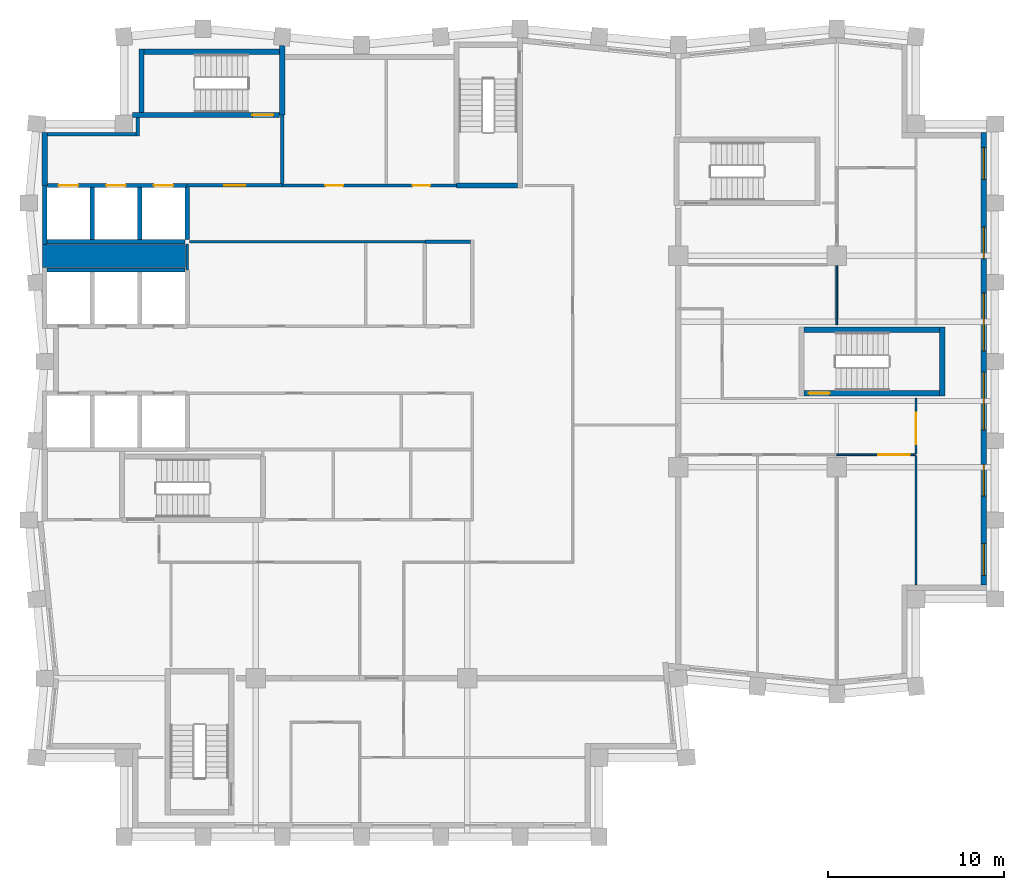
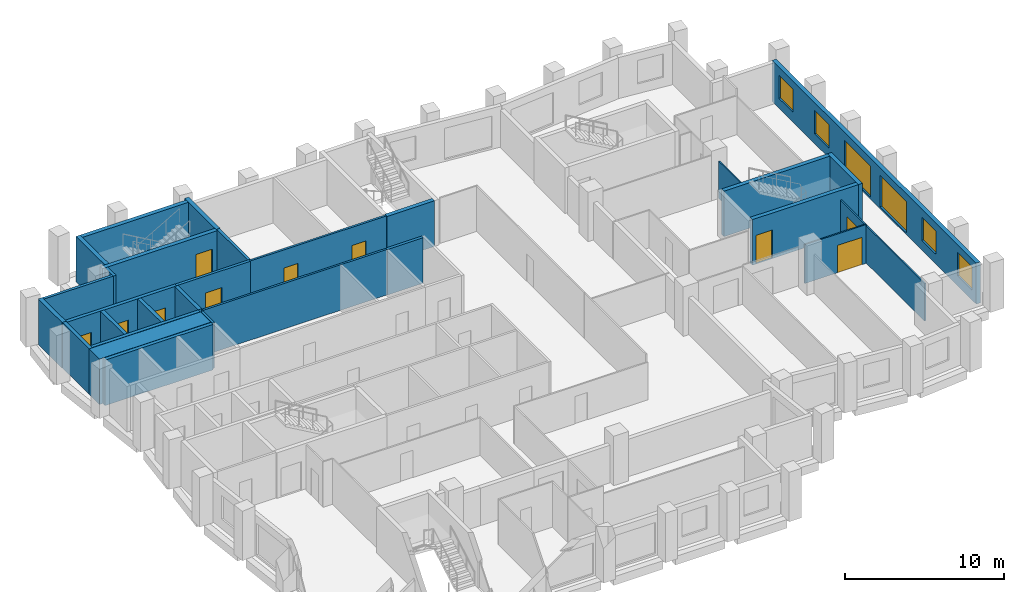
# One storey, part 5 of 8: 30 walls, 10 doors, 6 windows, 16 openings.
"""IFC4 building model written with IfcOpenShell, lengths in metres."""

from ifc_helpers import new_model, si_unit, direction, frame, frame_2d, origin, place, context, subcontext, project, spatial, rectangle, extrude, material, layer, layer_set, type_object, element, fill, save


model = new_model("IFC4")

# Units and contexts
model_context = context("Model", 3, precision=1e-05, world=origin(), true_north=direction((0.0, 1.0)))
body_context = subcontext(model_context, "Body", "Model", "MODEL_VIEW")
ifc_project = project(units=[si_unit("LENGTHUNIT", "METRE"), si_unit("AREAUNIT", "SQUARE_METRE"), si_unit("VOLUMEUNIT", "CUBIC_METRE"), si_unit("PLANEANGLEUNIT", "RADIAN"), si_unit("MASSUNIT", "GRAM", prefix="KILO")], contexts=[model_context])

# Site, building, storey
site_placement = place(None, origin())
site = spatial("IfcSite", under=ifc_project, at=site_placement, CompositionType="ELEMENT")
building_placement = place(site_placement, origin())
building = spatial("IfcBuilding", under=site, at=building_placement, Name="Brondeck Convention Tower", CompositionType="ELEMENT")
storey_placement = place(building_placement, frame((0.0, 0.0, 210.199951171875)))
storey = spatial("IfcBuildingStorey", under=building, at=storey_placement, Name="L51", CompositionType="ELEMENT", Elevation=210.199951171875)

# Walls
ifc_material_1 = material(Name="Concrete C50/60", Category="concrete")
ifc_layer_1 = layer(ifc_material_1, 0.300048828125)
ifc_layer_set_1 = layer_set([ifc_layer_1], Name="Core outer wall 300 Concrete C50/60")
wall_type_1 = type_object("IfcWallType", Name="Core outer wall 300 Concrete C50/60", PredefinedType="SHEAR", material=ifc_layer_set_1)
wall_1_placement = place(storey_placement, frame((0.0, 55.0, 0.0), z_axis=(0.0, 0.0, 1.0), x_axis=(0.0, 1.0, 0.0)))
element("IfcWall", 1, at=wall_1_placement, inside=storey, type_object=wall_type_1, Name="L51 core wall", PredefinedType="SHEAR", context=body_context, shape_type="SweptSolid", body=[
    extrude(rectangle(XDim=3.0, YDim=0.300048828125, at=frame_2d((1.5, 0.0))), origin(), (0.0, 0.0, 1.0), 3.5),
])
ifc_material_2 = material(Name="Fire-rated gypsum board partition")
ifc_layer_2 = layer(ifc_material_2, 0.14990234375)
ifc_layer_set_2 = layer_set([ifc_layer_2], Name="Core partition 150 EI 60")
wall_type_2 = type_object("IfcWallType", Name="Core partition 150 EI 60", PredefinedType="PARTITIONING", material=ifc_layer_set_2)
wall_2_placement = place(storey_placement, frame((8.22509765625, 51.800048828125, 0.0), z_axis=(0.0, 0.0, 1.0), x_axis=(1.0, 0.0, 0.0)))
element("IfcWall", 2, at=wall_2_placement, inside=storey, type_object=wall_type_2, Name="L51 core wall", PredefinedType="PARTITIONING", context=body_context, shape_type="SweptSolid", body=[
    extrude(rectangle(XDim=13.375, YDim=0.14990234375, at=frame_2d((6.6875, 0.0))), origin(), (0.0, 0.0, 1.0), 3.5),
])

# Wall, openings, doors
wall_3_placement = place(storey_placement, frame((13.5, 55.0, 0.0), z_axis=(0.0, 0.0, 1.0), x_axis=(1.0, 0.0, 0.0)))
wall_3 = element("IfcWall", 3, at=wall_3_placement, inside=storey, type_object=wall_type_2, Name="L51 core wall", PredefinedType="PARTITIONING", context=body_context, shape_type="SweptSolid", body=[
    extrude(rectangle(XDim=9.89990234375, YDim=0.14990234375, at=frame_2d((4.949951171875, 0.0))), origin(), (0.0, 0.0, 1.0), 3.5),
])
opening_1_placement = place(wall_3_placement, frame((2.449951171875, 0.0, 0.0)))
opening_1 = element("IfcOpeningElement", 4, at=opening_1_placement, cuts=wall_3, Name="Opening C29-11", PredefinedType="OPENING", context=body_context, shape_type="SweptSolid", body=[
    extrude(rectangle(XDim=1.0, YDim=2.10009765625, at=frame_2d((0.5, 1.050048828125))), frame((0.0, 0.0849609375, 0.0), z_axis=(0.0, -1.0, 0.0), x_axis=(1.0, 0.0, 0.0)), (0.0, 0.0, 1.0), 0.169921875),
])
opening_2_placement = place(wall_3_placement, frame((7.39990234375, 0.0, 0.0)))
opening_2 = element("IfcOpeningElement", 5, at=opening_2_placement, cuts=wall_3, Name="Opening C29-12", PredefinedType="OPENING", context=body_context, shape_type="SweptSolid", body=[
    extrude(rectangle(XDim=1.0, YDim=2.10009765625, at=frame_2d((0.5, 1.050048828125))), frame((0.0, 0.0849609375, 0.0), z_axis=(0.0, -1.0, 0.0), x_axis=(1.0, 0.0, 0.0)), (0.0, 0.0, 1.0), 0.169921875),
])
ifc_material_3 = material(Name="Steel fire door", Category="steel")
door_type_1 = type_object("IfcDoorType", Name="Room door 1000x2100 EI 60", OperationType="NOTDEFINED", PredefinedType="DOOR", material=ifc_material_3)
door_1_placement = place(opening_1_placement, origin())
door_1 = element("IfcDoor", 6, at=door_1_placement, inside=storey, type_object=door_type_1, Name="L51 Room door NE-1", OperationType="SINGLE_SWING_LEFT", OverallHeight=2.10009765625, OverallWidth=1.0, PredefinedType="DOOR", context=body_context, shape_type="SweptSolid", body=[
    extrude(rectangle(XDim=1.0, YDim=2.10009765625, at=frame_2d((0.5, 1.050048828125))), frame((0.0, 0.02490234375, 0.0), z_axis=(0.0, -1.0, 0.0), x_axis=(1.0, 0.0, 0.0)), (0.0, 0.0, 1.0), 0.050048828125),
])
fill(opening_1, door_1)
door_2_placement = place(opening_2_placement, origin())
door_2 = element("IfcDoor", 7, at=door_2_placement, inside=storey, type_object=door_type_1, Name="L51 Room door NE-2", OperationType="SINGLE_SWING_RIGHT", OverallHeight=2.10009765625, OverallWidth=1.0, PredefinedType="DOOR", context=body_context, shape_type="SweptSolid", body=[
    extrude(rectangle(XDim=1.0, YDim=2.10009765625, at=frame_2d((0.5, 1.050048828125))), frame((0.0, 0.02490234375, 0.0), z_axis=(0.0, -1.0, 0.0), x_axis=(1.0, 0.0, 0.0)), (0.0, 0.0, 1.0), 0.050048828125),
])
fill(opening_2, door_2)

# Walls
wall_4_placement = place(storey_placement, frame((8.10009765625, 50.199951171875, 0.0), z_axis=(0.0, 0.0, 1.0), x_axis=(0.0, 1.0, 0.0)))
element("IfcWall", 8, at=wall_4_placement, inside=storey, type_object=wall_type_2, Name="L51 core wall", PredefinedType="PARTITIONING", context=body_context, shape_type="SweptSolid", body=[
    extrude(rectangle(XDim=1.47509765625, YDim=0.14990234375, at=frame_2d((0.737548828125, 0.0))), origin(), (0.0, 0.0, 1.0), 3.5),
])
ifc_layer_3 = layer(ifc_material_1, 1.300048828125)
ifc_layer_set_3 = layer_set([ifc_layer_3], Name="Core shear wall 1300 Concrete C50/60")
wall_type_3 = type_object("IfcWallType", Name="Core shear wall 1300 Concrete C50/60", PredefinedType="SHEAR", material=ifc_layer_set_3)
wall_5_placement = place(storey_placement, frame((-0.125, 51.0, 0.0), z_axis=(0.0, 0.0, 1.0), x_axis=(1.0, 0.0, 0.0)))
element("IfcWall", 9, at=wall_5_placement, inside=storey, type_object=wall_type_3, Name="L51 core wall", PredefinedType="SHEAR", context=body_context, shape_type="SweptSolid", body=[
    extrude(rectangle(XDim=8.125, YDim=1.300048828125, at=frame_2d((4.0625, 0.0))), origin(), (0.0, 0.0, 1.0), 3.5),
])

# Wall, openings, windows
ifc_material_4 = material(Name="Precast concrete C50/60 bronze finish", Category="concrete")
ifc_layer_4 = layer(ifc_material_4, 0.070068359375, Name="Bronze precast facing")
ifc_material_5 = material(Name="Mineral wool")
ifc_layer_5 = layer(ifc_material_5, 0.159912109375, Name="Insulation")
ifc_material_6 = material(Name="Concrete C35/45", Category="concrete")
ifc_layer_6 = layer(ifc_material_6, 0.070068359375, Name="Backing")
ifc_layer_set_4 = layer_set([ifc_layer_4, ifc_layer_5, ifc_layer_6], Name="External infill wall, precast concrete C50/60 bronze facing")
wall_type_4 = type_object("IfcWallType", Name="External infill wall, precast concrete C50/60 bronze facing", PredefinedType="SOLIDWALL", material=ifc_layer_set_4)
wall_6_placement = place(storey_placement, frame((53.35009765625, 58.0, 0.0), z_axis=(0.0, 0.0, 1.0), x_axis=(0.0, -1.0, 0.0)))
wall_6 = element("IfcWall", 10, at=wall_6_placement, inside=storey, type_object=wall_type_4, Name="ENV-EW-L51-P2-A-E54-01", PredefinedType="SOLIDWALL", context=body_context, shape_type="SweptSolid", body=[
    extrude(rectangle(XDim=25.701904296875, YDim=0.300048828125, at=frame_2d((12.85107421875, 0.0))), origin(), (0.0, 0.0, 1.0), 3.150146484375),
])
opening_3_placement = place(wall_6_placement, frame((0.85009765625, 0.0, 0.75)))
opening_3 = element("IfcOpeningElement", 11, at=opening_3_placement, cuts=wall_6, Name="Opening W10", PredefinedType="OPENING", context=body_context, shape_type="SweptSolid", body=[
    extrude(rectangle(XDim=1.800048828125, YDim=1.800048828125, at=frame_2d((0.89990234375, 0.89990234375))), frame((0.0, 0.159912109375, 0.0), z_axis=(0.0, -1.0, 0.0), x_axis=(1.0, 0.0, 0.0)), (0.0, 0.0, 1.0), 0.320068359375),
])
opening_4_placement = place(wall_6_placement, frame((5.35009765625, 0.0, 0.75)))
opening_4 = element("IfcOpeningElement", 12, at=opening_4_placement, cuts=wall_6, Name="Opening W10", PredefinedType="OPENING", context=body_context, shape_type="SweptSolid", body=[
    extrude(rectangle(XDim=1.800048828125, YDim=1.800048828125, at=frame_2d((0.89990234375, 0.89990234375))), frame((0.0, 0.159912109375, 0.0), z_axis=(0.0, -1.0, 0.0), x_axis=(1.0, 0.0, 0.0)), (0.0, 0.0, 1.0), 0.320068359375),
])
opening_5_placement = place(wall_6_placement, frame((9.10009765625, 0.0, 0.14990234375)))
opening_5 = element("IfcOpeningElement", 13, at=opening_5_placement, cuts=wall_6, Name="Opening W9", PredefinedType="OPENING", context=body_context, shape_type="SweptSolid", body=[
    extrude(rectangle(XDim=3.300048828125, YDim=2.39990234375, at=frame_2d((1.64990234375, 1.199951171875))), frame((0.0, 0.159912109375, 0.0), z_axis=(0.0, -1.0, 0.0), x_axis=(1.0, 0.0, 0.0)), (0.0, 0.0, 1.0), 0.320068359375),
])
opening_6_placement = place(wall_6_placement, frame((13.60009765625, 0.0, 0.14990234375)))
opening_6 = element("IfcOpeningElement", 14, at=opening_6_placement, cuts=wall_6, Name="Opening W9", PredefinedType="OPENING", context=body_context, shape_type="SweptSolid", body=[
    extrude(rectangle(XDim=3.300048828125, YDim=2.39990234375, at=frame_2d((1.64990234375, 1.199951171875))), frame((0.0, 0.159912109375, 0.0), z_axis=(0.0, -1.0, 0.0), x_axis=(1.0, 0.0, 0.0)), (0.0, 0.0, 1.0), 0.320068359375),
])
opening_7_placement = place(wall_6_placement, frame((18.85009765625, 0.0, 0.75)))
opening_7 = element("IfcOpeningElement", 15, at=opening_7_placement, cuts=wall_6, Name="Opening W10", PredefinedType="OPENING", context=body_context, shape_type="SweptSolid", body=[
    extrude(rectangle(XDim=1.800048828125, YDim=1.800048828125, at=frame_2d((0.89990234375, 0.89990234375))), frame((0.0, 0.159912109375, 0.0), z_axis=(0.0, -1.0, 0.0), x_axis=(1.0, 0.0, 0.0)), (0.0, 0.0, 1.0), 0.320068359375),
])
opening_8_placement = place(wall_6_placement, frame((23.35009765625, 0.0, 0.75)))
opening_8 = element("IfcOpeningElement", 16, at=opening_8_placement, cuts=wall_6, Name="Opening W10", PredefinedType="OPENING", context=body_context, shape_type="SweptSolid", body=[
    extrude(rectangle(XDim=1.800048828125, YDim=1.800048828125, at=frame_2d((0.89990234375, 0.89990234375))), frame((0.0, 0.159912109375, 0.0), z_axis=(0.0, -1.0, 0.0), x_axis=(1.0, 0.0, 0.0)), (0.0, 0.0, 1.0), 0.320068359375),
])
ifc_material_7 = material(Name="Bronze tinted double glazing", Category="glass")
window_type_1 = type_object("IfcWindowType", Name="Glazed flute window, bronze tinted", PartitioningType="SINGLE_PANEL", PredefinedType="WINDOW", material=ifc_material_7)
window_1_placement = place(opening_5_placement, origin())
window_1 = element("IfcWindow", 17, at=window_1_placement, inside=storey, type_object=window_type_1, Name="ENV-WN-L51-P2-A-E54-04", OverallHeight=2.39990234375, OverallWidth=3.300048828125, PartitioningType="SINGLE_PANEL", PredefinedType="WINDOW", context=body_context, shape_type="SweptSolid", body=[
    extrude(rectangle(XDim=3.300048828125, YDim=2.39990234375, at=frame_2d((1.64990234375, 1.199951171875))), frame((0.0, 0.030029296875, 0.0), z_axis=(0.0, -1.0, 0.0), x_axis=(1.0, 0.0, 0.0)), (0.0, 0.0, 1.0), 0.06005859375),
])
fill(opening_5, window_1)
window_2_placement = place(opening_6_placement, origin())
window_2 = element("IfcWindow", 18, at=window_2_placement, inside=storey, type_object=window_type_1, Name="ENV-WN-L51-P2-A-E54-03", OverallHeight=2.39990234375, OverallWidth=3.300048828125, PartitioningType="SINGLE_PANEL", PredefinedType="WINDOW", context=body_context, shape_type="SweptSolid", body=[
    extrude(rectangle(XDim=3.300048828125, YDim=2.39990234375, at=frame_2d((1.64990234375, 1.199951171875))), frame((0.0, 0.030029296875, 0.0), z_axis=(0.0, -1.0, 0.0), x_axis=(1.0, 0.0, 0.0)), (0.0, 0.0, 1.0), 0.06005859375),
])
fill(opening_6, window_2)
window_type_2 = type_object("IfcWindowType", Name="Punched window, bronze tinted", PartitioningType="SINGLE_PANEL", PredefinedType="WINDOW", material=ifc_material_7)
window_3_placement = place(opening_3_placement, origin())
window_3 = element("IfcWindow", 19, at=window_3_placement, inside=storey, type_object=window_type_2, Name="ENV-WN-L51-P2-A-E54-06", OverallHeight=1.800048828125, OverallWidth=1.800048828125, PartitioningType="SINGLE_PANEL", PredefinedType="WINDOW", context=body_context, shape_type="SweptSolid", body=[
    extrude(rectangle(XDim=1.800048828125, YDim=1.800048828125, at=frame_2d((0.89990234375, 0.89990234375))), frame((0.0, 0.030029296875, 0.0), z_axis=(0.0, -1.0, 0.0), x_axis=(1.0, 0.0, 0.0)), (0.0, 0.0, 1.0), 0.06005859375),
])
fill(opening_3, window_3)
window_4_placement = place(opening_4_placement, origin())
window_4 = element("IfcWindow", 20, at=window_4_placement, inside=storey, type_object=window_type_2, Name="ENV-WN-L51-P2-A-E54-05", OverallHeight=1.800048828125, OverallWidth=1.800048828125, PartitioningType="SINGLE_PANEL", PredefinedType="WINDOW", context=body_context, shape_type="SweptSolid", body=[
    extrude(rectangle(XDim=1.800048828125, YDim=1.800048828125, at=frame_2d((0.89990234375, 0.89990234375))), frame((0.0, 0.030029296875, 0.0), z_axis=(0.0, -1.0, 0.0), x_axis=(1.0, 0.0, 0.0)), (0.0, 0.0, 1.0), 0.06005859375),
])
fill(opening_4, window_4)
window_5_placement = place(opening_7_placement, origin())
window_5 = element("IfcWindow", 21, at=window_5_placement, inside=storey, type_object=window_type_2, Name="ENV-WN-L51-P2-A-E54-02", OverallHeight=1.800048828125, OverallWidth=1.800048828125, PartitioningType="SINGLE_PANEL", PredefinedType="WINDOW", context=body_context, shape_type="SweptSolid", body=[
    extrude(rectangle(XDim=1.800048828125, YDim=1.800048828125, at=frame_2d((0.89990234375, 0.89990234375))), frame((0.0, 0.030029296875, 0.0), z_axis=(0.0, -1.0, 0.0), x_axis=(1.0, 0.0, 0.0)), (0.0, 0.0, 1.0), 0.06005859375),
])
fill(opening_7, window_5)
window_6_placement = place(opening_8_placement, origin())
window_6 = element("IfcWindow", 22, at=window_6_placement, inside=storey, type_object=window_type_2, Name="ENV-WN-L51-P2-A-E54-01", OverallHeight=1.800048828125, OverallWidth=1.800048828125, PartitioningType="SINGLE_PANEL", PredefinedType="WINDOW", context=body_context, shape_type="SweptSolid", body=[
    extrude(rectangle(XDim=1.800048828125, YDim=1.800048828125, at=frame_2d((0.89990234375, 0.89990234375))), frame((0.0, 0.030029296875, 0.0), z_axis=(0.0, -1.0, 0.0), x_axis=(1.0, 0.0, 0.0)), (0.0, 0.0, 1.0), 0.06005859375),
])
fill(opening_8, window_6)

# Wall, opening, door
ifc_layer_7 = layer(ifc_material_2, 0.199951171875)
ifc_layer_set_5 = layer_set([ifc_layer_7], Name="Firefighting lobby wall 200 EI 120")
wall_type_5 = type_object("IfcWallType", Name="Firefighting lobby wall 200 EI 120", PredefinedType="PARTITIONING", material=ifc_layer_set_5)
wall_7_placement = place(storey_placement, frame((8.10009765625, 55.0, 0.0), z_axis=(0.0, 0.0, 1.0), x_axis=(1.0, 0.0, 0.0)))
wall_7 = element("IfcWall", 23, at=wall_7_placement, inside=storey, type_object=wall_type_5, Name="L51 core wall", PredefinedType="PARTITIONING", context=body_context, shape_type="SweptSolid", body=[
    extrude(rectangle(XDim=5.39990234375, YDim=0.199951171875, at=frame_2d((2.699951171875, 0.0))), origin(), (0.0, 0.0, 1.0), 3.5),
])
opening_9_placement = place(wall_7_placement, frame((2.10009765625, 0.0, 0.0)))
opening_9 = element("IfcOpeningElement", 24, at=opening_9_placement, cuts=wall_7, Name="Opening C29-01", PredefinedType="OPENING", context=body_context, shape_type="SweptSolid", body=[
    extrude(rectangle(XDim=1.199951171875, YDim=2.199951171875, at=frame_2d((0.60009765625, 1.10009765625))), frame((0.0, 0.10986328125, 0.0), z_axis=(0.0, -1.0, 0.0), x_axis=(1.0, 0.0, 0.0)), (0.0, 0.0, 1.0), 0.219970703125),
])
door_type_2 = type_object("IfcDoorType", Name="Firefighting lobby door 1200x2200 EI 120", OperationType="NOTDEFINED", PredefinedType="DOOR", material=ifc_material_3)
door_3_placement = place(opening_9_placement, origin())
door_3 = element("IfcDoor", 25, at=door_3_placement, inside=storey, type_object=door_type_2, Name="L51 Firefighting lobby door FFL-1", OperationType="SINGLE_SWING_RIGHT", OverallHeight=2.199951171875, OverallWidth=1.199951171875, PredefinedType="DOOR", context=body_context, shape_type="SweptSolid", body=[
    extrude(rectangle(XDim=1.199951171875, YDim=2.199951171875, at=frame_2d((0.60009765625, 1.10009765625))), frame((0.0, 0.02490234375, 0.0), z_axis=(0.0, -1.0, 0.0), x_axis=(1.0, 0.0, 0.0)), (0.0, 0.0, 1.0), 0.050048828125),
])
fill(opening_9, door_3)

# Walls
wall_8_placement = place(storey_placement, frame((0.14990234375, 57.89990234375, 0.0), z_axis=(0.0, 0.0, 1.0), x_axis=(1.0, 0.0, 0.0)))
element("IfcWall", 26, at=wall_8_placement, inside=storey, type_object=wall_type_5, Name="L51 core wall", PredefinedType="PARTITIONING", context=body_context, shape_type="SweptSolid", body=[
    extrude(rectangle(XDim=5.050048828125, YDim=0.199951171875, at=frame_2d((2.52490234375, 0.0))), origin(), (0.0, 0.0, 1.0), 3.5),
])
wall_9_placement = place(storey_placement, frame((5.300048828125, 57.800048828125, 0.0), z_axis=(0.0, 0.0, 1.0), x_axis=(0.0, 1.0, 0.0)))
element("IfcWall", 27, at=wall_9_placement, inside=storey, type_object=wall_type_5, Name="L51 core wall", PredefinedType="PARTITIONING", context=body_context, shape_type="SweptSolid", body=[
    extrude(rectangle(XDim=1.050048828125, YDim=0.199951171875, at=frame_2d((0.52490234375, 0.0))), origin(), (0.0, 0.0, 1.0), 3.5),
])
wall_10_placement = place(storey_placement, frame((13.5, 55.10009765625, 0.0), z_axis=(0.0, 0.0, 1.0), x_axis=(0.0, 1.0, 0.0)))
element("IfcWall", 28, at=wall_10_placement, inside=storey, type_object=wall_type_5, Name="L51 core wall", PredefinedType="PARTITIONING", context=body_context, shape_type="SweptSolid", body=[
    extrude(rectangle(XDim=3.89990234375, YDim=0.199951171875, at=frame_2d((1.949951171875, 0.0))), origin(), (0.0, 0.0, 1.0), 3.5),
])
ifc_layer_8 = layer(ifc_material_1, 0.25)
ifc_layer_set_6 = layer_set([ifc_layer_8], Name="Lift shaft wall 250 Concrete C50/60")
wall_type_6 = type_object("IfcWallType", Name="Lift shaft wall 250 Concrete C50/60", PredefinedType="SHEAR", material=ifc_layer_set_6)
for number, where, z_axis, x_axis, name in (
    (29, (0.125, 50.199951171875, 0.0), (0.0, 0.0, 1.0), (1.0, 0.0, 0.0), "L51 core wall"),
    (30, (0.125, 51.800048828125, 0.0), (0.0, 0.0, 1.0), (1.0, 0.0, 0.0), "L51 core wall"),
):
    element("IfcWall", number, at=place(storey_placement, frame(where, z_axis=z_axis, x_axis=x_axis)), inside=storey, type_object=wall_type_6, Name=name, PredefinedType="SHEAR", context=body_context, shape_type="SweptSolid", body=[
        extrude(rectangle(XDim=7.85009765625, YDim=0.25, at=frame_2d((3.925048828125, 0.0))), origin(), (0.0, 0.0, 1.0), 3.5),
    ])

# Wall, openings, doors
wall_11_placement = place(storey_placement, frame((0.14990234375, 55.0, 0.0), z_axis=(0.0, 0.0, 1.0), x_axis=(1.0, 0.0, 0.0)))
wall_11 = element("IfcWall", 31, at=wall_11_placement, inside=storey, type_object=wall_type_6, Name="L51 core wall", PredefinedType="SHEAR", context=body_context, shape_type="SweptSolid", body=[
    extrude(rectangle(XDim=7.9501953125, YDim=0.25, at=frame_2d((3.97509765625, 0.0))), origin(), (0.0, 0.0, 1.0), 3.5),
])
opening_10_placement = place(wall_11_placement, frame((0.64990234375, 0.0, 0.0)))
opening_10 = element("IfcOpeningElement", 32, at=opening_10_placement, cuts=wall_11, Name="Opening C29-19", PredefinedType="OPENING", context=body_context, shape_type="SweptSolid", body=[
    extrude(rectangle(XDim=1.10009765625, YDim=2.10009765625, at=frame_2d((0.550048828125, 1.050048828125))), frame((0.0, 0.135009765625, 0.0), z_axis=(0.0, -1.0, 0.0), x_axis=(1.0, 0.0, 0.0)), (0.0, 0.0, 1.0), 0.27001953125),
])
opening_11_placement = place(wall_11_placement, frame((3.35009765625, 0.0, 0.0)))
opening_11 = element("IfcOpeningElement", 33, at=opening_11_placement, cuts=wall_11, Name="Opening C29-20", PredefinedType="OPENING", context=body_context, shape_type="SweptSolid", body=[
    extrude(rectangle(XDim=1.10009765625, YDim=2.10009765625, at=frame_2d((0.550048828125, 1.050048828125))), frame((0.0, 0.135009765625, 0.0), z_axis=(0.0, -1.0, 0.0), x_axis=(1.0, 0.0, 0.0)), (0.0, 0.0, 1.0), 0.27001953125),
])
opening_12_placement = place(wall_11_placement, frame((6.050048828125, 0.0, 0.0)))
opening_12 = element("IfcOpeningElement", 34, at=opening_12_placement, cuts=wall_11, Name="Opening C29-21", PredefinedType="OPENING", context=body_context, shape_type="SweptSolid", body=[
    extrude(rectangle(XDim=1.10009765625, YDim=2.10009765625, at=frame_2d((0.550048828125, 1.050048828125))), frame((0.0, 0.135009765625, 0.0), z_axis=(0.0, -1.0, 0.0), x_axis=(1.0, 0.0, 0.0)), (0.0, 0.0, 1.0), 0.27001953125),
])
ifc_material_8 = material(Name="Stainless steel lift door", Category="steel")
door_type_3 = type_object("IfcDoorType", Name="Lift landing door 1100x2100 EI 180", OperationType="DOUBLE_DOOR_SLIDING", PredefinedType="DOOR", material=ifc_material_8)
door_4_placement = place(opening_10_placement, origin())
door_4 = element("IfcDoor", 35, at=door_4_placement, inside=storey, type_object=door_type_3, Name="L51 Lift landing door FF1", OperationType="DOUBLE_DOOR_SLIDING", OverallHeight=2.10009765625, OverallWidth=1.10009765625, PredefinedType="DOOR", context=body_context, shape_type="SweptSolid", body=[
    extrude(rectangle(XDim=1.10009765625, YDim=2.10009765625, at=frame_2d((0.550048828125, 1.050048828125))), frame((0.0, 0.02490234375, 0.0), z_axis=(0.0, -1.0, 0.0), x_axis=(1.0, 0.0, 0.0)), (0.0, 0.0, 1.0), 0.050048828125),
])
fill(opening_10, door_4)
door_5_placement = place(opening_11_placement, origin())
door_5 = element("IfcDoor", 36, at=door_5_placement, inside=storey, type_object=door_type_3, Name="L51 Lift landing door FF2", OperationType="DOUBLE_DOOR_SLIDING", OverallHeight=2.10009765625, OverallWidth=1.10009765625, PredefinedType="DOOR", context=body_context, shape_type="SweptSolid", body=[
    extrude(rectangle(XDim=1.10009765625, YDim=2.10009765625, at=frame_2d((0.550048828125, 1.050048828125))), frame((0.0, 0.02490234375, 0.0), z_axis=(0.0, -1.0, 0.0), x_axis=(1.0, 0.0, 0.0)), (0.0, 0.0, 1.0), 0.050048828125),
])
fill(opening_11, door_5)
door_6_placement = place(opening_12_placement, origin())
door_6 = element("IfcDoor", 37, at=door_6_placement, inside=storey, type_object=door_type_3, Name="L51 Lift landing door FF3", OperationType="DOUBLE_DOOR_SLIDING", OverallHeight=2.10009765625, OverallWidth=1.10009765625, PredefinedType="DOOR", context=body_context, shape_type="SweptSolid", body=[
    extrude(rectangle(XDim=1.10009765625, YDim=2.10009765625, at=frame_2d((0.550048828125, 1.050048828125))), frame((0.0, 0.02490234375, 0.0), z_axis=(0.0, -1.0, 0.0), x_axis=(1.0, 0.0, 0.0)), (0.0, 0.0, 1.0), 0.050048828125),
])
fill(opening_12, door_6)

# Walls
wall_12_placement = place(storey_placement, frame((0.0, 51.64990234375, 0.0), z_axis=(0.0, 0.0, 1.0), x_axis=(0.0, 1.0, 0.0)))
element("IfcWall", 38, at=wall_12_placement, inside=storey, type_object=wall_type_6, Name="L51 core wall", PredefinedType="SHEAR", context=body_context, shape_type="SweptSolid", body=[
    extrude(rectangle(XDim=3.35009765625, YDim=0.25, at=frame_2d((1.675048828125, 0.0))), origin(), (0.0, 0.0, 1.0), 3.5),
])
for number, where, z_axis, x_axis, name in (
    (39, (2.699951171875, 51.925048828125, 0.0), (0.0, 0.0, 1.0), (0.0, 1.0, 0.0), "L51 core wall"),
    (40, (5.39990234375, 51.925048828125, 0.0), (0.0, 0.0, 1.0), (0.0, 1.0, 0.0), "L51 core wall"),
    (41, (8.10009765625, 51.925048828125, 0.0), (0.0, 0.0, 1.0), (0.0, 1.0, 0.0), "L51 core wall"),
):
    element("IfcWall", number, at=place(storey_placement, frame(where, z_axis=z_axis, x_axis=x_axis)), inside=storey, type_object=wall_type_6, Name=name, PredefinedType="SHEAR", context=body_context, shape_type="SweptSolid", body=[
        extrude(rectangle(XDim=2.949951171875, YDim=0.25, at=frame_2d((1.47509765625, 0.0))), origin(), (0.0, 0.0, 1.0), 3.5),
    ])
ifc_layer_9 = layer(ifc_material_2, 0.199951171875)
ifc_layer_set_7 = layer_set([ifc_layer_9], Name="Riser wall 200 EI 120")
wall_type_7 = type_object("IfcWallType", Name="Riser wall 200 EI 120", PredefinedType="PARTITIONING", material=ifc_layer_set_7)
wall_13_placement = place(storey_placement, frame((21.60009765625, 51.800048828125, 0.0), z_axis=(0.0, 0.0, 1.0), x_axis=(1.0, 0.0, 0.0)))
element("IfcWall", 42, at=wall_13_placement, inside=storey, type_object=wall_type_7, Name="L51 core wall", PredefinedType="PARTITIONING", context=body_context, shape_type="SweptSolid", body=[
    extrude(rectangle(XDim=2.599853515625, YDim=0.199951171875, at=frame_2d((1.2998046875, 0.0))), origin(), (0.0, 0.0, 1.0), 3.5),
])
ifc_material_9 = material(Name="Gypsum board partition on steel studs", Category="steel")
ifc_layer_10 = layer(ifc_material_9, 0.10009765625)
ifc_layer_set_8 = layer_set([ifc_layer_10], Name="Room partition 100")
wall_type_8 = type_object("IfcWallType", Name="Room partition 100", PredefinedType="PARTITIONING", material=ifc_layer_set_8)
wall_14_placement = place(storey_placement, frame((49.5, 32.320068359375, 0.0), z_axis=(0.0, 0.0, 1.0), x_axis=(0.0, 1.0, 0.0)))
element("IfcWall", 43, at=wall_14_placement, inside=storey, type_object=wall_type_8, Name="FLR-L51-W023", PredefinedType="PARTITIONING", context=body_context, shape_type="SweptSolid", body=[
    extrude(rectangle(XDim=7.329833984375, YDim=0.10009765625, at=frame_2d((3.6650390625, 0.0))), origin(), (0.0, 0.0, 1.0), 2.880126953125),
])

# Wall, opening, door
wall_15_placement = place(storey_placement, frame((49.449951171875, 39.699951171875, 0.0), z_axis=(0.0, 0.0, 1.0), x_axis=(-1.0, 0.0, 0.0)))
wall_15 = element("IfcWall", 44, at=wall_15_placement, inside=storey, type_object=wall_type_8, Name="FLR-L51-W034", PredefinedType="PARTITIONING", context=body_context, shape_type="SweptSolid", body=[
    extrude(rectangle(XDim=4.449951171875, YDim=0.10009765625, at=frame_2d((2.22509765625, 0.0))), origin(), (0.0, 0.0, 1.0), 2.97998046875),
])
opening_13_placement = place(wall_15_placement, frame((0.303955078125, 0.0, 0.0)))
opening_13 = element("IfcOpeningElement", 45, at=opening_13_placement, cuts=wall_15, Name="Opening OF-L-006", PredefinedType="OPENING", context=body_context, shape_type="SweptSolid", body=[
    extrude(rectangle(XDim=1.800048828125, YDim=2.10009765625, at=frame_2d((0.89990234375, 1.050048828125))), frame((0.0, 0.06005859375, 0.0), z_axis=(0.0, -1.0, 0.0), x_axis=(1.0, 0.0, 0.0)), (0.0, 0.0, 1.0), 0.1201171875),
])
ifc_material_10 = material(Name="Glazed timber double door", Category="wood")
door_type_4 = type_object("IfcDoorType", Name="Double door 1800", OperationType="DOUBLE_DOOR_SINGLE_SWING", PredefinedType="DOOR", material=ifc_material_10)
door_7_placement = place(opening_13_placement, origin())
door_7 = element("IfcDoor", 46, at=door_7_placement, inside=storey, type_object=door_type_4, Name="Door OF-L-006", OperationType="DOUBLE_DOOR_SINGLE_SWING", OverallHeight=2.10009765625, OverallWidth=1.800048828125, PredefinedType="DOOR", context=body_context, shape_type="SweptSolid", body=[
    extrude(rectangle(XDim=1.800048828125, YDim=2.10009765625, at=frame_2d((0.89990234375, 1.050048828125))), frame((0.0, 0.02490234375, 0.0), z_axis=(0.0, -1.0, 0.0), x_axis=(1.0, 0.0, 0.0)), (0.0, 0.0, 1.0), 0.050048828125),
])
fill(opening_13, door_7)

wall_16_placement = place(storey_placement, frame((49.5, 42.89990234375, 0.0), z_axis=(0.0, 0.0, 1.0), x_axis=(0.0, -1.0, 0.0)))
wall_16 = element("IfcWall", 47, at=wall_16_placement, inside=storey, type_object=wall_type_8, Name="FLR-L51-W040", PredefinedType="PARTITIONING", context=body_context, shape_type="SweptSolid", body=[
    extrude(rectangle(XDim=3.14990234375, YDim=0.10009765625, at=frame_2d((1.574951171875, 0.0))), origin(), (0.0, 0.0, 1.0), 2.880126953125),
])
opening_14_placement = place(wall_16_placement, frame((0.800048828125, 0.0, 0.0)))
opening_14 = element("IfcOpeningElement", 48, at=opening_14_placement, cuts=wall_16, Name="Opening OF-L-003", PredefinedType="OPENING", context=body_context, shape_type="SweptSolid", body=[
    extrude(rectangle(XDim=1.800048828125, YDim=2.10009765625, at=frame_2d((0.89990234375, 1.050048828125))), frame((0.0, 0.06005859375, 0.0), z_axis=(0.0, -1.0, 0.0), x_axis=(1.0, 0.0, 0.0)), (0.0, 0.0, 1.0), 0.1201171875),
])
door_8_placement = place(opening_14_placement, origin())
door_8 = element("IfcDoor", 49, at=door_8_placement, inside=storey, type_object=door_type_4, Name="Door OF-L-003", OperationType="DOUBLE_DOOR_SINGLE_SWING", OverallHeight=2.10009765625, OverallWidth=1.800048828125, PredefinedType="DOOR", context=body_context, shape_type="SweptSolid", body=[
    extrude(rectangle(XDim=1.800048828125, YDim=2.10009765625, at=frame_2d((0.89990234375, 1.050048828125))), frame((0.0, 0.02490234375, 0.0), z_axis=(0.0, -1.0, 0.0), x_axis=(1.0, 0.0, 0.0)), (0.0, 0.0, 1.0), 0.050048828125),
])
fill(opening_14, door_8)

# Wall
wall_17_placement = place(storey_placement, frame((45.0, 50.445068359375, 0.0), z_axis=(0.0, 0.0, 1.0), x_axis=(0.0, -1.0, 0.0)))
element("IfcWall", 50, at=wall_17_placement, inside=storey, type_object=wall_type_8, Name="FLR-L51-W045", PredefinedType="PARTITIONING", context=body_context, shape_type="SweptSolid", body=[
    extrude(rectangle(XDim=3.344970703125, YDim=0.10009765625, at=frame_2d((1.67236328125, 0.0))), origin(), (0.0, 0.0, 1.0), 2.880126953125),
])

# Wall, opening, door
ifc_layer_11 = layer(ifc_material_1, 0.300048828125)
ifc_layer_set_9 = layer_set([ifc_layer_11], Name="Stair enclosure wall 300 Concrete C50/60")
wall_type_9 = type_object("IfcWallType", Name="Stair enclosure wall 300 Concrete C50/60", PredefinedType="SHEAR", material=ifc_layer_set_9)
wall_18_placement = place(storey_placement, frame((43.14990234375, 43.199951171875, 0.0), z_axis=(0.0, 0.0, 1.0), x_axis=(1.0, 0.0, 0.0)))
wall_18 = element("IfcWall", 51, at=wall_18_placement, inside=storey, type_object=wall_type_9, Name="L51 core wall", PredefinedType="SHEAR", context=body_context, shape_type="SweptSolid", body=[
    extrude(rectangle(XDim=7.7001953125, YDim=0.300048828125, at=frame_2d((3.85009765625, 0.0))), origin(), (0.0, 0.0, 1.0), 3.5),
])
opening_15_placement = place(wall_18_placement, frame((0.25, 0.0, 0.0)))
opening_15 = element("IfcOpeningElement", 52, at=opening_15_placement, cuts=wall_18, Name="Opening C29-17", PredefinedType="OPENING", context=body_context, shape_type="SweptSolid", body=[
    extrude(rectangle(XDim=1.199951171875, YDim=2.199951171875, at=frame_2d((0.60009765625, 1.10009765625))), frame((0.0, 0.159912109375, 0.0), z_axis=(0.0, -1.0, 0.0), x_axis=(1.0, 0.0, 0.0)), (0.0, 0.0, 1.0), 0.320068359375),
])
door_type_5 = type_object("IfcDoorType", Name="Stair door 1200x2200 EI 90", OperationType="NOTDEFINED", PredefinedType="DOOR", material=ifc_material_3)
door_9_placement = place(opening_15_placement, origin())
door_9 = element("IfcDoor", 53, at=door_9_placement, inside=storey, type_object=door_type_5, Name="L51 Stair door ST-AF", OperationType="SINGLE_SWING_RIGHT", OverallHeight=2.199951171875, OverallWidth=1.199951171875, PredefinedType="DOOR", context=body_context, shape_type="SweptSolid", body=[
    extrude(rectangle(XDim=1.199951171875, YDim=2.199951171875, at=frame_2d((0.60009765625, 1.10009765625))), frame((0.0, 0.02490234375, 0.0), z_axis=(0.0, -1.0, 0.0), x_axis=(1.0, 0.0, 0.0)), (0.0, 0.0, 1.0), 0.050048828125),
])
fill(opening_15, door_9)

# Walls
wall_19_placement = place(storey_placement, frame((43.14990234375, 46.800048828125, 0.0), z_axis=(0.0, 0.0, 1.0), x_axis=(1.0, 0.0, 0.0)))
element("IfcWall", 54, at=wall_19_placement, inside=storey, type_object=wall_type_9, Name="L51 core wall", PredefinedType="SHEAR", context=body_context, shape_type="SweptSolid", body=[
    extrude(rectangle(XDim=7.7001953125, YDim=0.300048828125, at=frame_2d((3.85009765625, 0.0))), origin(), (0.0, 0.0, 1.0), 3.5),
])
wall_20_placement = place(storey_placement, frame((23.39990234375, 55.0, 0.0), z_axis=(0.0, 0.0, 1.0), x_axis=(1.0, 0.0, 0.0)))
element("IfcWall", 55, at=wall_20_placement, inside=storey, type_object=wall_type_9, Name="L51 core wall", PredefinedType="SHEAR", context=body_context, shape_type="SweptSolid", body=[
    extrude(rectangle(XDim=3.4501953125, YDim=0.300048828125, at=frame_2d((1.72509765625, 0.0))), origin(), (0.0, 0.0, 1.0), 3.5),
])

# Wall, opening, door
wall_21_placement = place(storey_placement, frame((5.0, 59.0, 0.0), z_axis=(0.0, 0.0, 1.0), x_axis=(1.0, 0.0, 0.0)))
wall_21 = element("IfcWall", 56, at=wall_21_placement, inside=storey, type_object=wall_type_9, Name="L51 core wall", PredefinedType="SHEAR", context=body_context, shape_type="SweptSolid", body=[
    extrude(rectangle(XDim=8.35009765625, YDim=0.300048828125, at=frame_2d((4.175048828125, 0.0))), origin(), (0.0, 0.0, 1.0), 3.5),
])
opening_16_placement = place(wall_21_placement, frame((6.800048828125, 0.0, 0.0)))
opening_16 = element("IfcOpeningElement", 57, at=opening_16_placement, cuts=wall_21, Name="Opening C29-15", PredefinedType="OPENING", context=body_context, shape_type="SweptSolid", body=[
    extrude(rectangle(XDim=1.199951171875, YDim=2.199951171875, at=frame_2d((0.60009765625, 1.10009765625))), frame((0.0, 0.159912109375, 0.0), z_axis=(0.0, -1.0, 0.0), x_axis=(1.0, 0.0, 0.0)), (0.0, 0.0, 1.0), 0.320068359375),
])
door_type_6 = type_object("IfcDoorType", Name="Stair door 1200x2200 EI 120", OperationType="NOTDEFINED", PredefinedType="DOOR", material=ifc_material_3)
door_10_placement = place(opening_16_placement, origin())
door_10 = element("IfcDoor", 58, at=door_10_placement, inside=storey, type_object=door_type_6, Name="L51 Stair door ST-3", OperationType="SINGLE_SWING_RIGHT", OverallHeight=2.199951171875, OverallWidth=1.199951171875, PredefinedType="DOOR", context=body_context, shape_type="SweptSolid", body=[
    extrude(rectangle(XDim=1.199951171875, YDim=2.199951171875, at=frame_2d((0.60009765625, 1.10009765625))), frame((0.0, 0.02490234375, 0.0), z_axis=(0.0, -1.0, 0.0), x_axis=(1.0, 0.0, 0.0)), (0.0, 0.0, 1.0), 0.050048828125),
])
fill(opening_16, door_10)

# Walls
wall_22_placement = place(storey_placement, frame((5.64990234375, 62.60009765625, 0.0), z_axis=(0.0, 0.0, 1.0), x_axis=(1.0, 0.0, 0.0)))
element("IfcWall", 59, at=wall_22_placement, inside=storey, type_object=wall_type_9, Name="L51 core wall", PredefinedType="SHEAR", context=body_context, shape_type="SweptSolid", body=[
    extrude(rectangle(XDim=7.7001953125, YDim=0.300048828125, at=frame_2d((3.85009765625, 0.0))), origin(), (0.0, 0.0, 1.0), 3.5),
])
wall_23_placement = place(storey_placement, frame((5.5, 59.14990234375, 0.0), z_axis=(0.0, 0.0, 1.0), x_axis=(0.0, 1.0, 0.0)))
element("IfcWall", 60, at=wall_23_placement, inside=storey, type_object=wall_type_9, Name="L51 core wall", PredefinedType="SHEAR", context=body_context, shape_type="SweptSolid", body=[
    extrude(rectangle(XDim=3.60009765625, YDim=0.300048828125, at=frame_2d((1.800048828125, 0.0))), origin(), (0.0, 0.0, 1.0), 3.5),
])
wall_24_placement = place(storey_placement, frame((13.5, 59.0, 0.0), z_axis=(0.0, 0.0, 1.0), x_axis=(0.0, 1.0, 0.0)))
element("IfcWall", 61, at=wall_24_placement, inside=storey, type_object=wall_type_9, Name="L51 core wall", PredefinedType="SHEAR", context=body_context, shape_type="SweptSolid", body=[
    extrude(rectangle(XDim=3.947509765625, YDim=0.300048828125, at=frame_2d((1.9736328125, 0.0))), origin(), (0.0, 0.0, 1.0), 3.5),
])
wall_25_placement = place(storey_placement, frame((51.0, 43.050048828125, 0.0), z_axis=(0.0, 0.0, 1.0), x_axis=(0.0, 1.0, 0.0)))
element("IfcWall", 62, at=wall_25_placement, inside=storey, type_object=wall_type_9, Name="L51 core wall", PredefinedType="SHEAR", context=body_context, shape_type="SweptSolid", body=[
    extrude(rectangle(XDim=3.89990234375, YDim=0.300048828125, at=frame_2d((1.949951171875, 0.0))), origin(), (0.0, 0.0, 1.0), 3.5),
])

save(model, "model.ifc")
